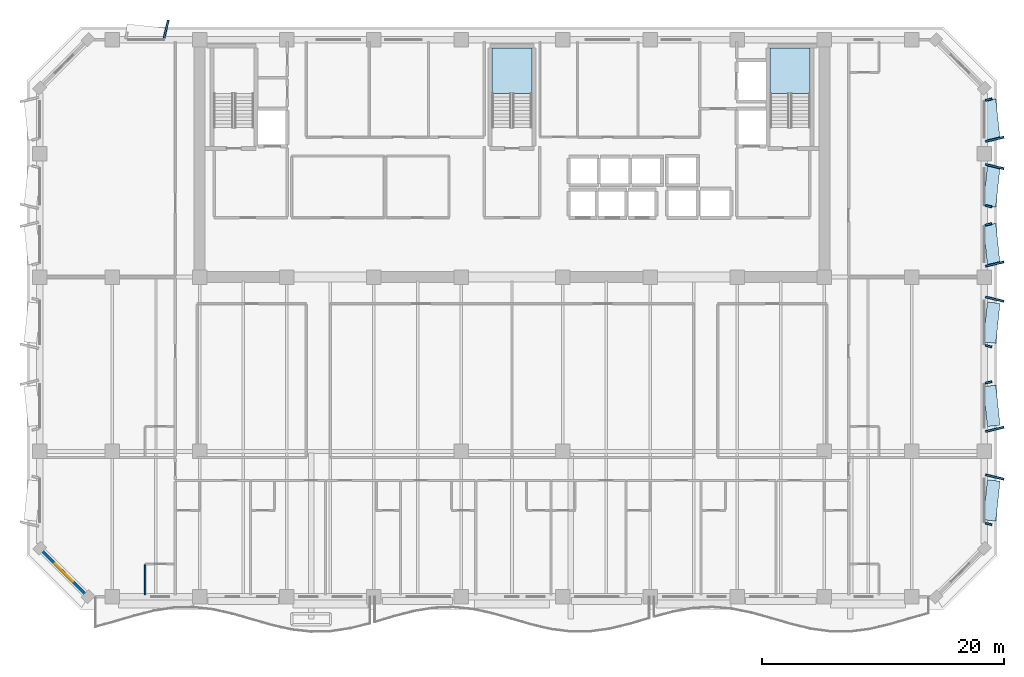
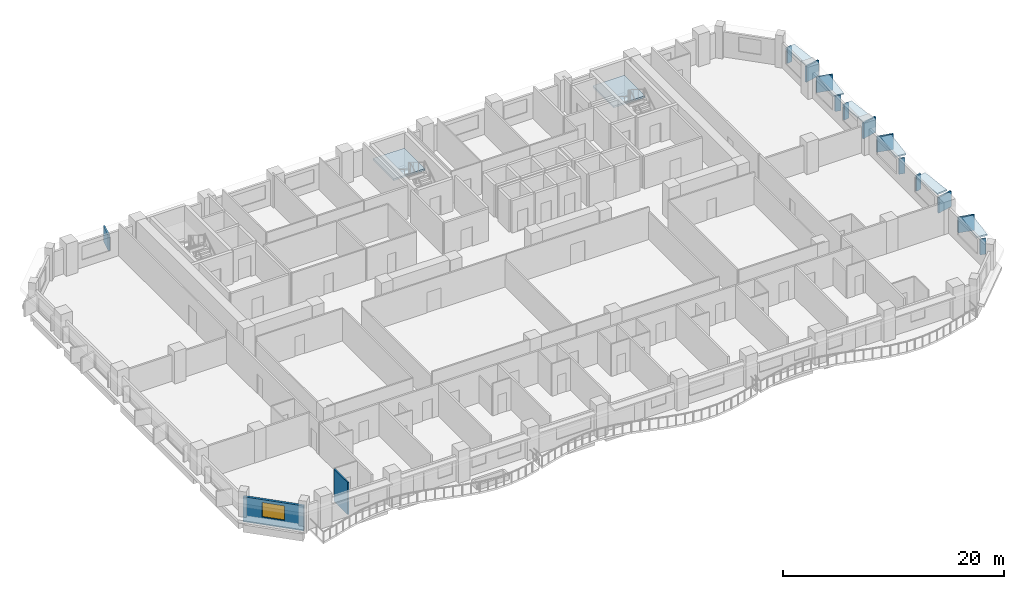
# One storey, part 3 of 15: 19 plates, 2 slabs, 2 walls, 1 window, 1 opening, 2 elements without a shape of their own.
"""IFC4 building model written with IfcOpenShell, lengths in metres."""

import ifcopenshell
import ifcopenshell.guid

model = None  # the IFC model being written
_history = None  # IfcOwnerHistory: only IFC2X3 demands one
_inside = {}  # id of a spatial element -> (the spatial element, [elements in it])
_under = {}  # id of a project, library or spatial element -> (it, [spatial elements below it])
_declared = {}  # id of a project -> (the project, [libraries it declares])
_typed = {}  # id of a type object -> (the type object, [elements of that type])
_made_of = {}  # id of a material, layer set ... -> (it, [elements and type objects made of it])


def new_model(schema):
    """Start an empty IFC model of exactly this schema.

    Asked for "IFC4X3", IfcOpenShell would pick the latest addendum, in which some entities
    have other attributes; the version numbers below select the first issue.
    IFC2X3 requires an IfcOwnerHistory on every rooted entity: one is made here for all.
    """
    global model, _history
    if schema == "IFC4X3":
        model = ifcopenshell.file(schema_version=(4, 3, 0, 0))
    else:
        model = ifcopenshell.file(schema=schema)
    _inside.clear()
    _under.clear()
    _declared.clear()
    _typed.clear()
    _made_of.clear()
    _history = None
    if model.schema == "IFC2X3":
        org = make("IfcOrganization", Name="unknown")
        user = make(
            "IfcPersonAndOrganization",
            ThePerson=make("IfcPerson", FamilyName="unknown"),
            TheOrganization=org,
        )
        app = make(
            "IfcApplication",
            ApplicationDeveloper=org,
            Version="unknown",
            ApplicationFullName="unknown",
            ApplicationIdentifier="unknown",
        )
        _history = make(
            "IfcOwnerHistory",
            OwningUser=user,
            OwningApplication=app,
            ChangeAction="ADDED",
            CreationDate=0,
        )
    return model


def make(cls, **values):
    """One entity of the class cls with the attributes given. An attribute that is None is left unset."""
    return model.create_entity(
        cls, **{name: value for name, value in values.items() if value is not None}
    )


def rooted(cls, **values):
    """An entity with a GlobalId (a new one), such as an element, a storey or a relation."""
    return make(cls, GlobalId=ifcopenshell.guid.new(), OwnerHistory=_history, **values)


def si_unit(unit_type, name, prefix=None):
    """IfcSIUnit, for example si_unit("LENGTHUNIT", "METRE", prefix="MILLI")."""
    return make("IfcSIUnit", UnitType=unit_type, Prefix=prefix, Name=name)


def assignment(units):
    """IfcUnitAssignment: the units of a project."""
    return None if units is None else make("IfcUnitAssignment", Units=units)


def point(xyz):
    """IfcCartesianPoint."""
    return None if xyz is None else make("IfcCartesianPoint", Coordinates=xyz)


def direction(xyz):
    """IfcDirection."""
    return None if xyz is None else make("IfcDirection", DirectionRatios=xyz)


def frame(location, z_axis=None, x_axis=None):
    """IfcAxis2Placement3D, a coordinate frame: its origin and axes. An axis left out is left unset."""
    return make(
        "IfcAxis2Placement3D",
        Location=point(location),
        Axis=direction(z_axis),
        RefDirection=direction(x_axis),
    )


def frame_2d(location, x_axis=None):
    """IfcAxis2Placement2D, a coordinate frame in the plane: its origin and x axis."""
    return make(
        "IfcAxis2Placement2D", Location=point(location), RefDirection=direction(x_axis)
    )


def origin():
    """The frame at (0, 0, 0) with its axes left unset."""
    return frame((0.0, 0.0, 0.0))


def origin_2d():
    """The frame at (0, 0) in the plane with its x axis left unset."""
    return frame_2d((0.0, 0.0))


def place(relative_to, where):
    """IfcLocalPlacement: puts the frame where relative to a parent placement (None: the world)."""
    return make(
        "IfcLocalPlacement", PlacementRelTo=relative_to, RelativePlacement=where
    )


def context(
    kind, dimensions, precision=None, world=None, true_north=None, identifier=None
):
    """IfcGeometricRepresentationContext, for example the 3D "Model" context."""
    return make(
        "IfcGeometricRepresentationContext",
        ContextIdentifier=identifier,
        ContextType=kind,
        CoordinateSpaceDimension=dimensions,
        Precision=precision,
        WorldCoordinateSystem=world,
        TrueNorth=true_north,
    )


def subcontext(parent, identifier, kind, view, scale=None):
    """IfcGeometricRepresentationSubContext, for example "Body" below "Model"."""
    return make(
        "IfcGeometricRepresentationSubContext",
        ContextIdentifier=identifier,
        ContextType=kind,
        ParentContext=parent,
        TargetScale=scale,
        TargetView=view,
    )


def project(units=None, contexts=None):
    """IfcProject with its units and contexts."""
    return rooted(
        "IfcProject",
        Name="project",
        RepresentationContexts=contexts,
        UnitsInContext=assignment(units),
    )


def spatial(cls, under=None, at=None, **own):
    """A site, building, storey or space (cls), placed at a placement, below another one or the project."""
    s = rooted(cls, ObjectPlacement=at, **own)
    if under is not None:
        _under.setdefault(under.id(), (under, []))[1].append(s)
    return s


def polyline(points):
    """IfcPolyline through the points."""
    return make("IfcPolyline", Points=[point(p) for p in points])


def profile(cls, at=None, kind="AREA", **sizes):
    """A parametric profile (cls). Its sizes go by their IFC names, for example OverallWidth=200.0."""
    return make(cls, ProfileType=kind, Position=at, **sizes)


def rectangle(**sizes):
    """IfcRectangleProfileDef."""
    return profile("IfcRectangleProfileDef", **sizes)


def outline(outer, holes=None, kind="AREA"):
    """IfcArbitraryClosedProfileDef: a profile drawn as a closed curve; with holes, ...WithVoids."""
    if holes is None:
        return make("IfcArbitraryClosedProfileDef", ProfileType=kind, OuterCurve=outer)
    return make(
        "IfcArbitraryProfileDefWithVoids",
        ProfileType=kind,
        OuterCurve=outer,
        InnerCurves=holes,
    )


def extrude(swept, where, along, depth):
    """IfcExtrudedAreaSolid: the profile swept, set in the frame where, extruded along a direction by depth."""
    return make(
        "IfcExtrudedAreaSolid",
        SweptArea=swept,
        Position=where,
        ExtrudedDirection=direction(along),
        Depth=depth,
    )


def shape(context_of_items, identifier, shape_type, items):
    """IfcShapeRepresentation: the items that make up one representation, for example the "Body"."""
    return make(
        "IfcShapeRepresentation",
        ContextOfItems=context_of_items,
        RepresentationIdentifier=identifier,
        RepresentationType=shape_type,
        Items=items,
    )


def material(Name=None, Category=None):
    """IfcMaterial."""
    return make("IfcMaterial", Name=Name, Category=Category)


def layer(
    of_material, thickness, ventilated=None, Name=None, Category=None, Priority=None
):
    """IfcMaterialLayer: one layer of a wall or slab, of a material (None: an air gap)."""
    return make(
        "IfcMaterialLayer",
        Material=of_material,
        LayerThickness=thickness,
        IsVentilated=ventilated,
        Name=Name,
        Category=Category,
        Priority=Priority,
    )


def layer_set(layers, Name=None):
    """IfcMaterialLayerSet."""
    return make("IfcMaterialLayerSet", MaterialLayers=layers, LayerSetName=Name)


def made_of(thing, what):
    """Note that an element or type object is made of a material, layer set ...; save() writes the relation."""
    if what is not None:
        _made_of.setdefault(what.id(), (what, []))[1].append(thing)
    return thing


def type_object(cls, material=None, **own):
    """A type object (cls), such as IfcWallType, which elements share."""
    return made_of(rooted(cls, **own), material)


def element(
    cls,
    number,
    at=None,
    inside=None,
    cuts=None,
    type_object=None,
    material=None,
    context=None,
    identifier="Body",
    shape_type=None,
    held_by="IfcProductDefinitionShape",
    body=None,
    shapes=None,
    **own,
):
    """One element of the class cls, such as IfcWall. Its Tag is "e" and its number.

    at: its placement. inside: the storey or other place that contains it. cuts: it is an
    opening in that element (IfcRelVoidsElement). A single representation is given by context,
    identifier, shape_type and body (its items); several are given by shapes. held_by: the class
    of the entity that holds the representations. save() writes the other relations.
    """
    e = rooted(cls, Tag="e%d" % number, ObjectPlacement=at, **own)
    if body is not None:
        shapes = [shape(context, identifier, shape_type, body)]
    if shapes is not None:
        e.Representation = make(held_by, Representations=shapes)
    if inside is not None:
        _inside.setdefault(inside.id(), (inside, []))[1].append(e)
    if cuts is not None:
        rooted(
            "IfcRelVoidsElement", RelatingBuildingElement=cuts, RelatedOpeningElement=e
        )
    if type_object is not None:
        _typed.setdefault(type_object.id(), (type_object, []))[1].append(e)
    return made_of(e, material)


def fill(opening, filler):
    """IfcRelFillsElement: the door or window that sits in an opening."""
    return rooted(
        "IfcRelFillsElement",
        RelatingOpeningElement=opening,
        RelatedBuildingElement=filler,
    )


def aggregate(whole, parts):
    """IfcRelAggregates: a whole, such as a stair, and the parts it consists of."""
    return rooted("IfcRelAggregates", RelatingObject=whole, RelatedObjects=parts)


def save(model, path):
    """Write the relations noted so far, then the file.

    IfcRelAggregates (storeys below a building ...), IfcRelContainedInSpatialStructure (elements
    in a storey), IfcRelDefinesByType, IfcRelAssociatesMaterial and IfcRelDeclares: one each for
    every whole, place, type object, material and project.
    """
    for whole, parts in _under.values():
        aggregate(whole, parts)
    for where, things in _inside.values():
        rooted(
            "IfcRelContainedInSpatialStructure",
            RelatedElements=things,
            RelatingStructure=where,
        )
    for kind, things in _typed.values():
        rooted("IfcRelDefinesByType", RelatedObjects=things, RelatingType=kind)
    for what, things in _made_of.values():
        rooted("IfcRelAssociatesMaterial", RelatedObjects=things, RelatingMaterial=what)
    for by, libraries in _declared.values():
        rooted("IfcRelDeclares", RelatingContext=by, RelatedDefinitions=libraries)
    model.write(path)


model = new_model("IFC4")

# Units and contexts
model_context = context("Model", 3, precision=1e-05, world=origin(), true_north=direction((0.0, 1.0)))
body_context = subcontext(model_context, "Body", "Model", "MODEL_VIEW")
ifc_project = project(units=[si_unit("LENGTHUNIT", "METRE"), si_unit("AREAUNIT", "SQUARE_METRE"), si_unit("VOLUMEUNIT", "CUBIC_METRE"), si_unit("PLANEANGLEUNIT", "RADIAN"), si_unit("MASSUNIT", "GRAM", prefix="KILO")], contexts=[model_context])

# Site, building, storey
site_placement = place(None, origin())
site = spatial("IfcSite", under=ifc_project, at=site_placement, CompositionType="ELEMENT")
building_placement = place(site_placement, origin())
building = spatial("IfcBuilding", under=site, at=building_placement, Name="Kaelvorn Grand Hotel", CompositionType="ELEMENT")
storey_placement = place(building_placement, frame((0.0, 0.0, 158.14990234375)))
storey = spatial("IfcBuildingStorey", under=building, at=storey_placement, Name="L38", CompositionType="ELEMENT", Elevation=158.14990234375)

# Plates
ifc_material_1 = material(Name="Precast concrete C45/55", Category="concrete")
ifc_layer_1 = layer(ifc_material_1, 0.159912109375)
ifc_layer_set_1 = layer_set([ifc_layer_1], Name="Precast concrete C45/55")
plate_type_1 = type_object("IfcPlateType", Name="PL-FRAME-DEEP-1550", PredefinedType="USERDEFINED", material=ifc_layer_set_1)
for number, where, z_axis, x_axis, name in (
    (1, (81.85498046875, 12.889892578125, 0.81494140625), (0.0, 0.0, 1.0), (0.233445363856, 0.972369920398, 0.0), "L38 Tilted Precast Window Frame Fin R-E01"),
    (2, (81.85498046875, 16.824951171875, 0.81494140625), (0.0, 0.0, 1.0), (-0.233445363856, 0.972369920398, 0.0), "L38 Tilted Precast Window Frame Fin L-E02"),
    (3, (81.85498046875, 27.574951171875, 0.81494140625), (0.0, 0.0, 1.0), (0.233445363856, 0.972369920398, 0.0), "L38 Tilted Precast Window Frame Fin R-E03"),
    (4, (81.85498046875, 30.47509765625, 0.740234375), (0.0, 0.0, 1.0), (-0.233445363856, 0.972369920398, 0.0), "L38 Tilted Precast Window Frame Fin L-E04"),
    (5, (81.85498046875, 38.52490234375, 0.740234375), (0.0, 0.0, 1.0), (0.233445363856, 0.972369920398, 0.0), "L38 Tilted Precast Window Frame Fin R-E05"),
    (6, (81.85498046875, 40.77490234375, 0.740234375), (0.0, 0.0, 1.0), (-0.233445363856, 0.972369920398, 0.0), "L38 Tilted Precast Window Frame Fin L-E06"),
    (7, (13.43994140625, 49.85498046875, 0.740234375), (0.0, 0.0, 1.0), (0.972369920398, -0.233445363856, 0.0), "L38 Tilted Precast Window Frame Fin R-N01"),
):
    element("IfcPlate", number, at=place(storey_placement, frame(where, z_axis=z_axis, x_axis=x_axis)), inside=storey, type_object=plate_type_1, Name=name, ObjectType="FLANGE_PLATE", PredefinedType="USERDEFINED", context=body_context, shape_type="SweptSolid", body=[
        extrude(rectangle(XDim=0.159912109375, YDim=1.550048828125, at=origin_2d()), origin(), (0.0, 0.0, 1.0), 1.719970703125),
    ])
ifc_layer_2 = layer(ifc_material_1, 0.159912109375)
ifc_layer_set_2 = layer_set([ifc_layer_2], Name="Precast concrete C45/55")
plate_type_2 = type_object("IfcPlateType", Name="PL-FRAME-HEAD-1050", PredefinedType="USERDEFINED", material=ifc_layer_set_2)
for number, where, z_axis, x_axis, name in (
    (8, (81.60498046875, 10.949951171875, 2.5), (0.0, 0.0, 1.0), (0.105830199459, 0.994384215926, 0.0), "L38 Precast Window Frame Head Hood H-E01"),
    (9, (81.60498046875, 18.764892578125, 2.5), (0.0, 0.0, 1.0), (-0.105830199459, 0.994384215926, 0.0), "L38 Precast Window Frame Head Hood H-E02"),
    (10, (81.60498046875, 25.635009765625, 2.5), (0.0, 0.0, 1.0), (0.105830199459, 0.994384215926, 0.0), "L38 Precast Window Frame Head Hood H-E03"),
    (11, (81.60498046875, 32.114990234375, 2.35009765625), (0.0, 0.0, 1.0), (-0.105830199459, 0.994384215926, 0.0), "L38 Precast Window Frame Head Hood H-E04"),
    (12, (81.60498046875, 36.885009765625, 2.35009765625), (0.0, 0.0, 1.0), (0.105830199459, 0.994384215926, 0.0), "L38 Precast Window Frame Head Hood H-E05"),
    (13, (81.60498046875, 42.4150390625, 2.35009765625), (0.0, 0.0, 1.0), (-0.105830199459, 0.994384215926, 0.0), "L38 Precast Window Frame Head Hood H-E06"),
):
    element("IfcPlate", number, at=place(storey_placement, frame(where, z_axis=z_axis, x_axis=x_axis)), inside=storey, type_object=plate_type_2, Name=name, ObjectType="FLANGE_PLATE", PredefinedType="USERDEFINED", context=body_context, shape_type="SweptSolid", body=[
        extrude(rectangle(XDim=3.320068359375, YDim=1.050048828125, at=origin_2d()), origin(), (0.0, 0.0, 1.0), 0.159912109375),
    ])
ifc_layer_3 = layer(ifc_material_1, 0.159912109375)
ifc_layer_set_3 = layer_set([ifc_layer_3], Name="Precast concrete C45/55")
plate_type_3 = type_object("IfcPlateType", Name="PL-FRAME-SHAL-550", PredefinedType="USERDEFINED", material=ifc_layer_set_3)
for number, where, z_axis, x_axis, name in (
    (14, (81.35498046875, 9.010009765625, 0.81494140625), (0.0, 0.0, 1.0), (0.233445363856, 0.972369920398, 0.0), "L38 Tilted Precast Window Frame Fin L-E01"),
    (15, (81.35498046875, 20.705078125, 0.81494140625), (0.0, 0.0, 1.0), (-0.233445363856, 0.972369920398, 0.0), "L38 Tilted Precast Window Frame Fin R-E02"),
    (16, (81.35498046875, 23.695068359375, 0.81494140625), (0.0, 0.0, 1.0), (0.233445363856, 0.972369920398, 0.0), "L38 Tilted Precast Window Frame Fin L-E03"),
    (17, (81.35498046875, 33.7548828125, 0.740234375), (0.0, 0.0, 1.0), (-0.233445363856, 0.972369920398, 0.0), "L38 Tilted Precast Window Frame Fin R-E04"),
    (18, (81.35498046875, 35.2451171875, 0.740234375), (0.0, 0.0, 1.0), (0.233445363856, 0.972369920398, 0.0), "L38 Tilted Precast Window Frame Fin L-E05"),
    (19, (81.35498046875, 44.054931640625, 0.740234375), (0.0, 0.0, 1.0), (-0.233445363856, 0.972369920398, 0.0), "L38 Tilted Precast Window Frame Fin R-E06"),
):
    element("IfcPlate", number, at=place(storey_placement, frame(where, z_axis=z_axis, x_axis=x_axis)), inside=storey, type_object=plate_type_3, Name=name, ObjectType="FLANGE_PLATE", PredefinedType="USERDEFINED", context=body_context, shape_type="SweptSolid", body=[
        extrude(rectangle(XDim=0.159912109375, YDim=0.550048828125, at=origin_2d()), origin(), (0.0, 0.0, 1.0), 1.719970703125),
    ])

# Stair, slab
ifc_material_2 = material(Name="Concrete C40/50", Category="concrete")
stair_type = type_object("IfcStairType", Name="STR-DOG-1560-R08", PredefinedType="HALF_TURN_STAIR", material=ifc_material_2)
stair_1_placement = place(storey_placement, origin())
stair_1 = element("IfcStair", 20, at=stair_1_placement, inside=storey, type_object=stair_type, Name="L38 Central Core Exit Stair ST2", PredefinedType="HALF_TURN_STAIR")
ifc_layer_4 = layer(ifc_material_2, 0.199951171875)
ifc_layer_set_4 = layer_set([ifc_layer_4], Name="Concrete C40/50")
slab_type = type_object("IfcSlabType", Name="SLB-LAND-200-C40", PredefinedType="LANDING", material=ifc_layer_set_4)
slab_1_placement = place(storey_placement, frame((0.0, 0.0, 1.7001953125)))
slab_1 = element("IfcSlab", 21, at=slab_1_placement, type_object=slab_type, Name="ST2 landing 1", PredefinedType="LANDING", context=body_context, shape_type="SweptSolid", body=[
    extrude(outline(polyline([(43.639892578125, 44.56005859375), (43.639892578125, 48.300048828125), (40.360107421875, 48.300048828125), (40.360107421875, 44.56005859375), (43.639892578125, 44.56005859375)])), origin(), (0.0, 0.0, 1.0), 0.199951171875),
])
aggregate(stair_1, [slab_1])

stair_2_placement = place(storey_placement, origin())
stair_2 = element("IfcStair", 22, at=stair_2_placement, inside=storey, type_object=stair_type, Name="L38 East Core Exit Stair ST3", PredefinedType="HALF_TURN_STAIR")
slab_2_placement = place(storey_placement, frame((0.0, 0.0, 1.7001953125)))
slab_2 = element("IfcSlab", 23, at=slab_2_placement, type_object=slab_type, Name="ST3 landing 1", PredefinedType="LANDING", context=body_context, shape_type="SweptSolid", body=[
    extrude(outline(polyline([(66.60009765625, 44.56005859375), (66.60009765625, 48.300048828125), (63.320068359375, 48.300048828125), (63.320068359375, 44.56005859375), (66.60009765625, 44.56005859375)])), origin(), (0.0, 0.0, 1.0), 0.199951171875),
])
aggregate(stair_2, [slab_2])

# Wall, opening, window
ifc_layer_5 = layer(ifc_material_2, 0.239990234375)
ifc_layer_set_5 = layer_set([ifc_layer_5], Name="Concrete C40/50")
wall_type_1 = type_object("IfcWallType", Name="WL-EXT-240-C40", PredefinedType="SOLIDWALL", material=ifc_layer_set_5)
wall_1_placement = place(storey_placement, frame((3.0, 7.0, 0.0), z_axis=(0.0, 0.0, 1.0), x_axis=(0.707106781187, -0.707106781187, 0.0)))
wall_1 = element("IfcWall", 24, at=wall_1_placement, inside=storey, type_object=wall_type_1, Name="L38 Exterior Architectural Concrete Wall 08", PredefinedType="SOLIDWALL", context=body_context, shape_type="SweptSolid", body=[
    extrude(rectangle(XDim=5.65673828125, YDim=0.239990234375, at=frame_2d((2.828369140625, 0.0))), origin(), (0.0, 0.0, 1.0), 2.760009765625),
])
opening_placement = place(wall_1_placement, frame((1.7783203125, 0.0, 0.85009765625)))
opening = element("IfcOpeningElement", 25, at=opening_placement, cuts=wall_1, Name="Opening W7", PredefinedType="OPENING", context=body_context, shape_type="SweptSolid", body=[
    extrude(rectangle(XDim=2.10009765625, YDim=1.60009765625, at=frame_2d((1.050048828125, 0.800048828125))), frame((0.0, 0.1298828125, 0.0), z_axis=(0.0, -1.0, 0.0), x_axis=(1.0, 0.0, 0.0)), (0.0, 0.0, 1.0), 0.260009765625),
])
ifc_material_3 = material(Name="Laminated Low-E Glass", Category="glass")
window_type = type_object("IfcWindowType", Name="WIN-CHM-2100x1600", PartitioningType="SINGLE_PANEL", PredefinedType="WINDOW", material=ifc_material_3)
window_placement = place(opening_placement, origin())
window = element("IfcWindow", 26, at=window_placement, inside=storey, type_object=window_type, Name="L38 Chamfered 45-Degree Corner Window SW", OverallHeight=1.60009765625, OverallWidth=2.10009765625, PartitioningType="SINGLE_PANEL", PredefinedType="WINDOW", context=body_context, shape_type="SweptSolid", body=[
    extrude(rectangle(XDim=2.10009765625, YDim=1.60009765625, at=frame_2d((1.050048828125, 0.800048828125))), frame((0.0, 0.030029296875, 0.0), z_axis=(0.0, -1.0, 0.0), x_axis=(1.0, 0.0, 0.0)), (0.0, 0.0, 1.0), 0.06005859375),
])
fill(opening, window)

# Wall
ifc_material_4 = material(Name="Moisture-Resistant Tile & Stud Board")
ifc_layer_6 = layer(ifc_material_4, 0.125)
ifc_layer_set_6 = layer_set([ifc_layer_6], Name="Moisture-Resistant Tile & Stud Board")
wall_type_2 = type_object("IfcWallType", Name="WL-PART-125-WET", PredefinedType="PARTITIONING", material=ifc_layer_set_6)
wall_2_placement = place(storey_placement, frame((11.699951171875, 3.14990234375, 0.0), z_axis=(0.0, 0.0, 1.0), x_axis=(0.0, 1.0, 0.0)))
element("IfcWall", 27, at=wall_2_placement, inside=storey, type_object=wall_type_2, Name="L38 En-suite Bathroom L38-10 W Partition", PredefinedType="PARTITIONING", context=body_context, shape_type="SweptSolid", body=[
    extrude(rectangle(XDim=2.482666015625, YDim=0.125, at=frame_2d((1.2412109375, 0.0))), origin(), (0.0, 0.0, 1.0), 3.56005859375),
])

save(model, "model.ifc")
